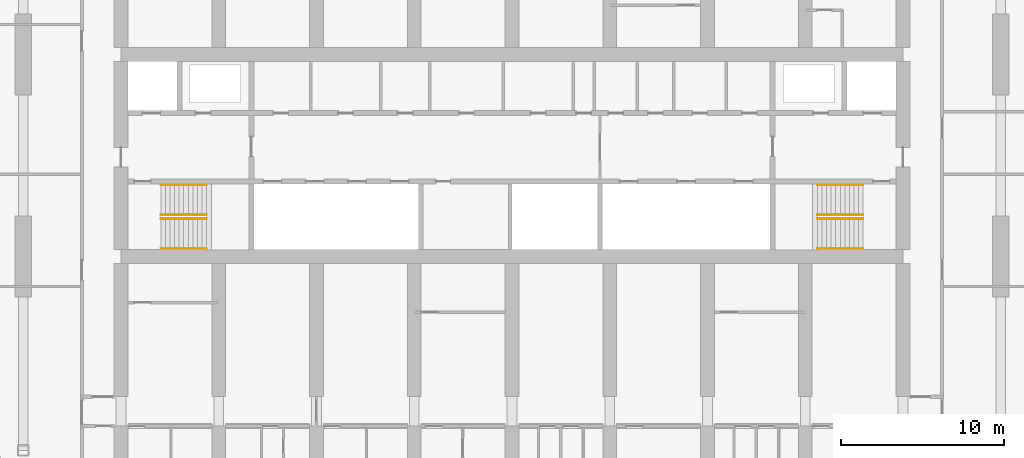
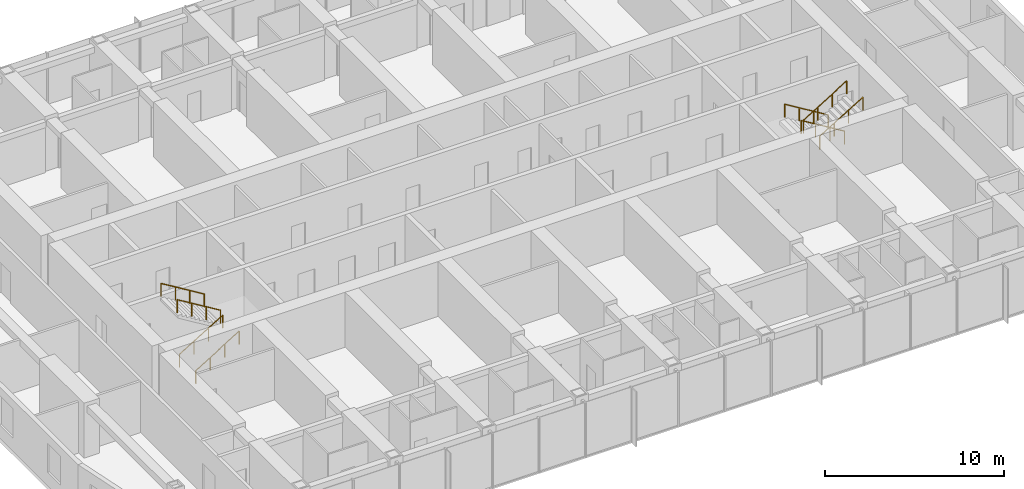
# One storey, part 23 of 23: 8 railings.
"""IFC4 building model written with IfcOpenShell, lengths in metres."""

from ifc_helpers import new_model, si_unit, direction, frame, origin, origin_2d, place, context, subcontext, project, spatial, circle, extrude, material, type_object, element, save


model = new_model("IFC4")

# Units and contexts
model_context = context("Model", 3, precision=1e-05, world=origin(), true_north=direction((0.0, 1.0)))
body_context = subcontext(model_context, "Body", "Model", "MODEL_VIEW")
ifc_project = project(units=[si_unit("LENGTHUNIT", "METRE"), si_unit("AREAUNIT", "SQUARE_METRE"), si_unit("VOLUMEUNIT", "CUBIC_METRE"), si_unit("PLANEANGLEUNIT", "RADIAN"), si_unit("MASSUNIT", "GRAM", prefix="KILO")], contexts=[model_context])

# Site, building, storey
site_placement = place(None, origin())
site = spatial("IfcSite", under=ifc_project, at=site_placement, CompositionType="ELEMENT")
building_placement = place(site_placement, origin())
building = spatial("IfcBuilding", under=site, at=building_placement, Name="Orbita Commons", CompositionType="ELEMENT")
storey_placement = place(building_placement, frame((0.0, 0.0, 171.10009765625)))
storey = spatial("IfcBuildingStorey", under=building, at=storey_placement, Name="L42", CompositionType="ELEMENT", Elevation=171.10009765625)

# Railings
ifc_material = material(Name="Steel tube, painted", Category="steel")
railing_type = type_object("IfcRailingType", Name="Stair handrail steel tube 900", PredefinedType="HANDRAIL", material=ifc_material)
for number, where, name in (
    (1, (20.449951171875, 28.114990234375, 0.17041015625), "Stair S1 handrail L42 flight 1"),
    (2, (20.449951171875, 26.284912109375, 0.17041015625), "Stair S1 handrail L42 flight 1"),
):
    element("IfcRailing", number, at=place(storey_placement, frame(where)), inside=storey, type_object=railing_type, Name=name, PredefinedType="HANDRAIL", context=body_context, shape_type="SweptSolid", body=[
        extrude(circle(Radius=0.02099609375, at=origin_2d()), frame((0.0, 0.0, 0.87890625), z_axis=(0.854169791009, 0.0, 0.51999420009), x_axis=(0.0, 1.0, 0.0)), (0.0, 0.0, 1.0), 3.278076171875),
        extrude(circle(Radius=0.02001953125, at=origin_2d()), origin(), (0.0, 0.0, 1.0), 0.85791015625),
        extrude(circle(Radius=0.02001953125, at=origin_2d()), frame((0.933349609375, 0.0, 0.568115234375)), (0.0, 0.0, 1.0), 0.85791015625),
        extrude(circle(Radius=0.02001953125, at=origin_2d()), frame((1.86669921875, 0.0, 1.136474609375)), (0.0, 0.0, 1.0), 0.85791015625),
        extrude(circle(Radius=0.02001953125, at=origin_2d()), frame((2.800048828125, 0.0, 1.70458984375)), (0.0, 0.0, 1.0), 0.85791015625),
    ])
for number, where, name in (
    (3, (23.25, 28.360107421875, 2.04541015625), "Stair S1 handrail L42 flight 2"),
    (4, (23.25, 30.18994140625, 2.04541015625), "Stair S1 handrail L42 flight 2"),
    (5, (63.550048828125, 28.360107421875, 0.17041015625), "Stair S2 handrail L42 flight 1"),
    (6, (63.550048828125, 30.18994140625, 0.17041015625), "Stair S2 handrail L42 flight 1"),
):
    element("IfcRailing", number, at=place(storey_placement, frame(where)), inside=storey, type_object=railing_type, Name=name, PredefinedType="HANDRAIL", context=body_context, shape_type="SweptSolid", body=[
        extrude(circle(Radius=0.02099609375, at=origin_2d()), frame((0.0, 0.0, 0.87890625), z_axis=(-0.854169791009, 0.0, 0.51999420009), x_axis=(0.0, -1.0, 0.0)), (0.0, 0.0, 1.0), 3.278076171875),
        extrude(circle(Radius=0.02001953125, at=origin_2d()), origin(), (0.0, 0.0, 1.0), 0.85791015625),
        extrude(circle(Radius=0.02001953125, at=origin_2d()), frame((-0.933349609375, 0.0, 0.568115234375)), (0.0, 0.0, 1.0), 0.85791015625),
        extrude(circle(Radius=0.02001953125, at=origin_2d()), frame((-1.86669921875, 0.0, 1.136474609375)), (0.0, 0.0, 1.0), 0.85791015625),
        extrude(circle(Radius=0.02001953125, at=origin_2d()), frame((-2.800048828125, 0.0, 1.70458984375)), (0.0, 0.0, 1.0), 0.85791015625),
    ])
for number, where, name in (
    (7, (60.75, 28.114990234375, 2.04541015625), "Stair S2 handrail L42 flight 2"),
    (8, (60.75, 26.284912109375, 2.04541015625), "Stair S2 handrail L42 flight 2"),
):
    element("IfcRailing", number, at=place(storey_placement, frame(where)), inside=storey, type_object=railing_type, Name=name, PredefinedType="HANDRAIL", context=body_context, shape_type="SweptSolid", body=[
        extrude(circle(Radius=0.02099609375, at=origin_2d()), frame((0.0, 0.0, 0.87890625), z_axis=(0.854169791009, 0.0, 0.51999420009), x_axis=(0.0, 1.0, 0.0)), (0.0, 0.0, 1.0), 3.278076171875),
        extrude(circle(Radius=0.02001953125, at=origin_2d()), origin(), (0.0, 0.0, 1.0), 0.85791015625),
        extrude(circle(Radius=0.02001953125, at=origin_2d()), frame((0.933349609375, 0.0, 0.568115234375)), (0.0, 0.0, 1.0), 0.85791015625),
        extrude(circle(Radius=0.02001953125, at=origin_2d()), frame((1.86669921875, 0.0, 1.136474609375)), (0.0, 0.0, 1.0), 0.85791015625),
        extrude(circle(Radius=0.02001953125, at=origin_2d()), frame((2.800048828125, 0.0, 1.70458984375)), (0.0, 0.0, 1.0), 0.85791015625),
    ])

save(model, "model.ifc")
